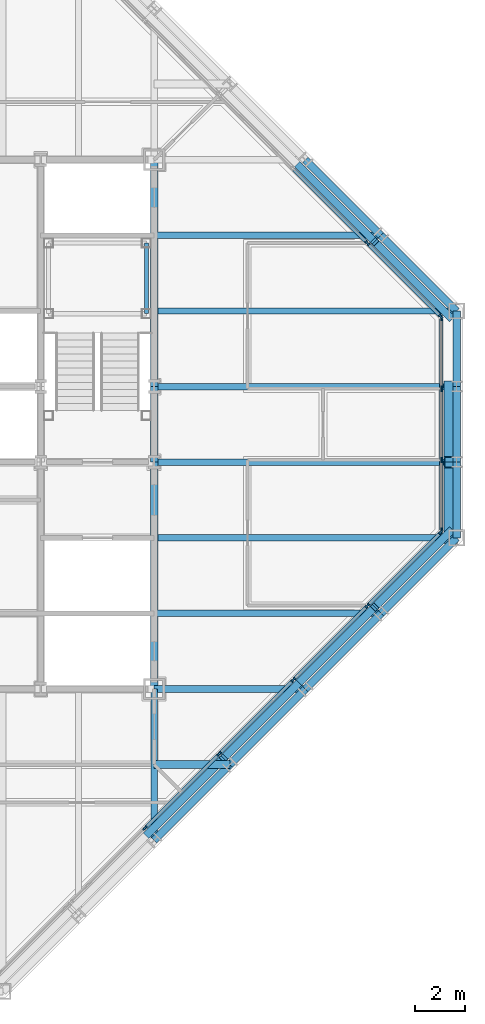
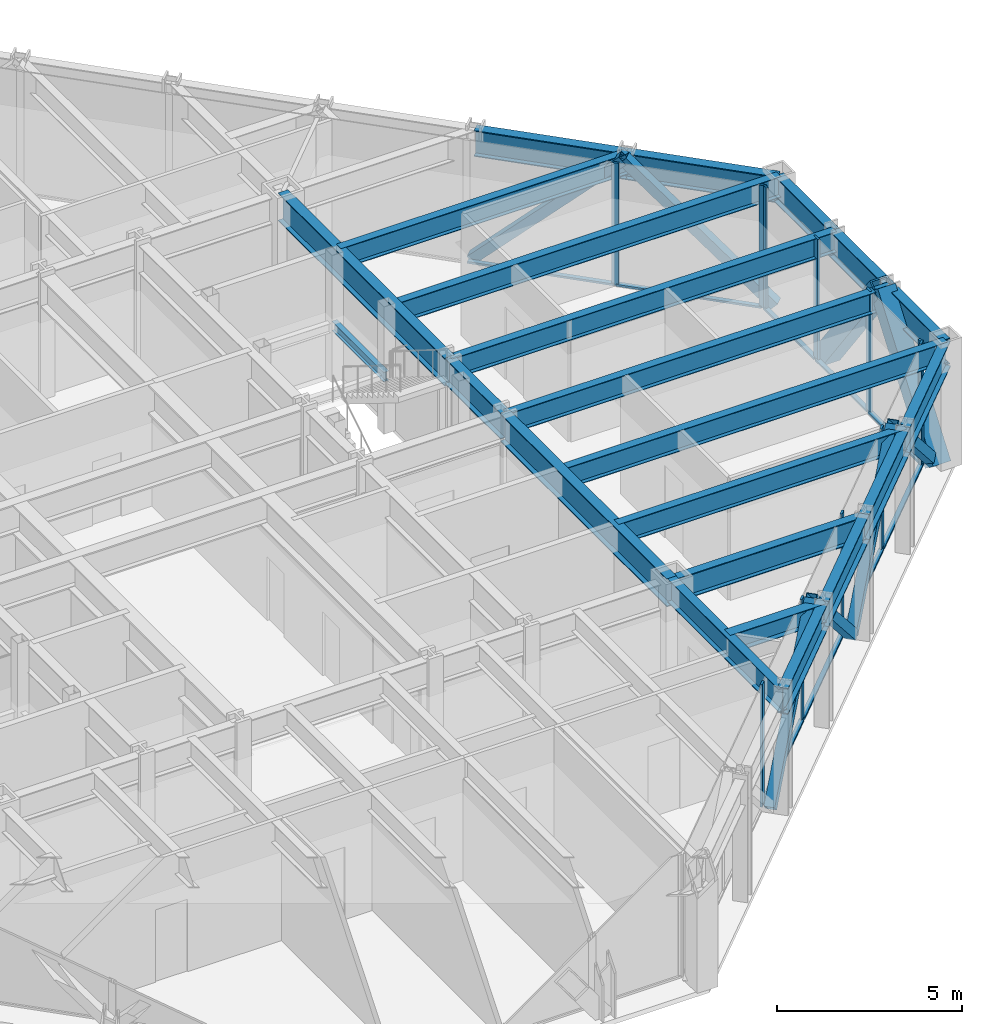
# One storey, part 7 of 15: 28 members, 22 beams, 3 elements without a shape of their own.
"""IFC4 building model written with IfcOpenShell, lengths in metres."""

from ifc_helpers import new_model, si_unit, direction, frame, origin, origin_2d, place, context, subcontext, project, spatial, rectangle, hollow_rectangle, i_section, extrude, material, layer, layer_set, material_profile, profile_set, type_object, element, aggregate, save


model = new_model("IFC4")

# Units and contexts
model_context = context("Model", 3, precision=1e-05, world=origin(), true_north=direction((0.0, 1.0)))
body_context = subcontext(model_context, "Body", "Model", "MODEL_VIEW")
ifc_project = project(units=[si_unit("LENGTHUNIT", "METRE"), si_unit("AREAUNIT", "SQUARE_METRE"), si_unit("VOLUMEUNIT", "CUBIC_METRE"), si_unit("PLANEANGLEUNIT", "RADIAN"), si_unit("MASSUNIT", "GRAM", prefix="KILO")], contexts=[model_context])

# Site, building, storey
site_placement = place(None, origin())
site = spatial("IfcSite", under=ifc_project, at=site_placement, CompositionType="ELEMENT")
building_placement = place(site_placement, origin())
building = spatial("IfcBuilding", under=site, at=building_placement, Name="Chuquiago Exchange Tower", CompositionType="ELEMENT")
storey_placement = place(building_placement, frame((0.0, 0.0, 274.800048828125)))
storey = spatial("IfcBuildingStorey", under=building, at=storey_placement, Name="L61", CompositionType="ELEMENT", Elevation=274.800048828125)

# Beams
ifc_material_1 = material(Name="Steel ASTM A992", Category="steel")
ifc_material_profile_1 = material_profile(ifc_material_1, i_section(OverallWidth=0.25390625, OverallDepth=0.683349609375, WebThickness=0.012451171875, FlangeThickness=0.018798828125, at=origin_2d()), Name="W27X94")
ifc_profile_set_1 = profile_set([ifc_material_profile_1], Name="Steel ASTM A992")
beam_type_1 = type_object("IfcBeamType", Name="B1 W27X94", PredefinedType="BEAM", material=ifc_profile_set_1)
beam_1_placement = place(storey_placement, frame((33.0, 15.0, 3.6982421875), z_axis=(1.0, 0.0, 0.0), x_axis=(0.0, 1.0, 0.0)))
element("IfcBeam", 1, at=beam_1_placement, inside=storey, type_object=beam_type_1, Name="FB-L62-infill-33_15-42_15-0", PredefinedType="BEAM", context=body_context, shape_type="SweptSolid", body=[
    extrude(i_section(OverallWidth=0.25390625, OverallDepth=0.683349609375, WebThickness=0.012451171875, FlangeThickness=0.018798828125, at=origin_2d()), origin(), (0.0, 0.0, 1.0), 9.0),
])
for number, where, z_axis, x_axis, name in (
    (2, (33.0, 18.0, 3.6982421875), (1.0, 0.0, 0.0), (0.0, 1.0, 0.0), "FB-L62-infill-33_18-45_18-0"),
    (3, (33.0, 21.0, 3.6982421875), (1.0, 0.0, 0.0), (0.0, 1.0, 0.0), "FB-L62-infill-33_21-45_21-0"),
    (4, (33.0, 24.0, 3.6982421875), (1.0, 0.0, 0.0), (0.0, 1.0, 0.0), "FB-L62-infill-33_24-45_24-0"),
    (5, (33.0, 27.0, 3.6982421875), (1.0, 0.0, 0.0), (0.0, 1.0, 0.0), "FB-L62-infill-33_27-45_27-0"),
):
    element("IfcBeam", number, at=place(storey_placement, frame(where, z_axis=z_axis, x_axis=x_axis)), inside=storey, type_object=beam_type_1, Name=name, PredefinedType="BEAM", context=body_context, shape_type="SweptSolid", body=[
        extrude(i_section(OverallWidth=0.25390625, OverallDepth=0.683349609375, WebThickness=0.012451171875, FlangeThickness=0.018798828125, at=origin_2d()), origin(), (0.0, 0.0, 1.0), 12.0),
    ])
beam_2_placement = place(storey_placement, frame((33.0, 30.0, 3.6982421875), z_axis=(1.0, 0.0, 0.0), x_axis=(0.0, 1.0, 0.0)))
element("IfcBeam", 6, at=beam_2_placement, inside=storey, type_object=beam_type_1, Name="FB-L62-infill-33_30-42_30-0", PredefinedType="BEAM", context=body_context, shape_type="SweptSolid", body=[
    extrude(i_section(OverallWidth=0.25390625, OverallDepth=0.683349609375, WebThickness=0.012451171875, FlangeThickness=0.018798828125, at=origin_2d()), origin(), (0.0, 0.0, 1.0), 9.0),
])
ifc_material_2 = material(Name="Steel ASTM A992", Category="steel")
ifc_material_profile_2 = material_profile(ifc_material_2, i_section(OverallWidth=0.307373046875, OverallDepth=0.927001953125, WebThickness=0.01953125, FlangeThickness=0.031982421875, at=origin_2d()), Name="W36X194")
ifc_profile_set_2 = profile_set([ifc_material_profile_2], Name="Steel ASTM A992")
beam_type_2 = type_object("IfcBeamType", Name="B10 W36X194", PredefinedType="BEAM", material=ifc_profile_set_2)
for number, where, z_axis, x_axis, name in (
    (7, (33.0, 12.0, 3.576416015625), (0.0, 1.0, 0.0), (-1.0, 0.0, 0.0), "CB-L62-33_12-33_21"),
    (8, (33.0, 24.0, 3.576416015625), (0.0, 1.0, 0.0), (-1.0, 0.0, 0.0), "CB-L62-33_24-33_33"),
):
    element("IfcBeam", number, at=place(storey_placement, frame(where, z_axis=z_axis, x_axis=x_axis)), inside=storey, type_object=beam_type_2, Name=name, PredefinedType="BEAM", context=body_context, shape_type="SweptSolid", body=[
        extrude(i_section(OverallWidth=0.307373046875, OverallDepth=0.927001953125, WebThickness=0.01953125, FlangeThickness=0.031982421875, at=origin_2d()), origin(), (0.0, 0.0, 1.0), 9.0),
    ])
ifc_material_3 = material(Name="Steel ASTM A992", Category="steel")
ifc_material_profile_3 = material_profile(ifc_material_3, i_section(OverallWidth=0.3251953125, OverallDepth=0.612060546875, WebThickness=0.0126953125, FlangeThickness=0.01904296875, at=origin_2d()), Name="W24X104")
ifc_profile_set_3 = profile_set([ifc_material_profile_3], Name="Steel ASTM A992")
beam_type_3 = type_object("IfcBeamType", Name="B2 W24X104", PredefinedType="BEAM", material=ifc_profile_set_3)
beam_3_placement = place(storey_placement, frame((33.0, 9.0, 3.73388671875), z_axis=(1.0, 0.0, 0.0), x_axis=(0.0, 1.0, 0.0)))
element("IfcBeam", 9, at=beam_3_placement, inside=storey, type_object=beam_type_3, Name="FB-L62-corner-33_9-36_9-0", PredefinedType="BEAM", context=body_context, shape_type="SweptSolid", body=[
    extrude(i_section(OverallWidth=0.3251953125, OverallDepth=0.612060546875, WebThickness=0.0126953125, FlangeThickness=0.01904296875, at=origin_2d()), origin(), (0.0, 0.0, 1.0), 3.0),
])
ifc_material_4 = material(Name="Steel ASTM A992", Category="steel")
ifc_material_profile_4 = material_profile(ifc_material_4, i_section(OverallWidth=0.2919921875, OverallDepth=0.8583984375, WebThickness=0.01708984375, FlangeThickness=0.031005859375, at=origin_2d()), Name="W33X169")
ifc_profile_set_4 = profile_set([ifc_material_profile_4], Name="Steel ASTM A992")
beam_type_4 = type_object("IfcBeamType", Name="B3 W33X169", PredefinedType="BEAM", material=ifc_profile_set_4)
beam_4_placement = place(storey_placement, frame((33.0, 21.0, 3.610595703125), z_axis=(0.0, 1.0, 0.0), x_axis=(-1.0, 0.0, 0.0)))
element("IfcBeam", 10, at=beam_4_placement, inside=storey, type_object=beam_type_4, Name="CB-L62-33_21-33_24", PredefinedType="BEAM", context=body_context, shape_type="SweptSolid", body=[
    extrude(i_section(OverallWidth=0.2919921875, OverallDepth=0.8583984375, WebThickness=0.01708984375, FlangeThickness=0.031005859375, at=origin_2d()), origin(), (0.0, 0.0, 1.0), 3.0),
])

# Curtain wall, members
ifc_material_5 = material(Name="Aluminium curtain wall system", Category="aluminium")
ifc_layer_1 = layer(ifc_material_5, 0.22509765625)
ifc_layer_set_1 = layer_set([ifc_layer_1], Name="CW2 office curtain wall")
curtain_wall_type_1 = type_object("IfcCurtainWallType", Name="CW2 office curtain wall", PredefinedType="NOTDEFINED", material=ifc_layer_set_1)
curtain_wall_1_placement = place(storey_placement, origin())
curtain_wall_1 = element("IfcCurtainWall", 11, at=curtain_wall_1_placement, inside=storey, type_object=curtain_wall_type_1, Name="CW2 curtain wall L61", PredefinedType="NOTDEFINED")
ifc_material_6 = material(Name="Aluminium mullion, pale anodised", Category="aluminium")
ifc_material_profile_5 = material_profile(ifc_material_6, rectangle(XDim=0.06494140625, YDim=0.22509765625, at=origin_2d()), Name="AL 65x225")
ifc_profile_set_5 = profile_set([ifc_material_profile_5], Name="Aluminium mullion, pale anodised")
member_type_1 = type_object("IfcMemberType", Name="CW2-M mullion 65x225", PredefinedType="MULLION", material=ifc_profile_set_5)
member_1_placement = place(storey_placement, frame((44.39990234375, 18.281005859375, 0.0), z_axis=(0.0, 0.0, 1.0), x_axis=(-1.0, 0.0, 0.0)))
member_1 = element("IfcMember", 12, at=member_1_placement, type_object=member_type_1, Name="CW2 mullion 1", PredefinedType="MULLION", context=body_context, shape_type="SweptSolid", body=[
    extrude(rectangle(XDim=0.06494140625, YDim=0.22509765625, at=origin_2d()), origin(), (0.0, 0.0, 1.0), 4.0400390625),
])
member_2_placement = place(storey_placement, frame((44.39990234375, 21.082763671875, 0.0), z_axis=(0.0, 0.0, 1.0), x_axis=(-1.0, 0.0, 0.0)))
member_2 = element("IfcMember", 13, at=member_2_placement, type_object=member_type_1, Name="CW2 mullion 2", PredefinedType="MULLION", context=body_context, shape_type="SweptSolid", body=[
    extrude(rectangle(XDim=0.06494140625, YDim=0.22509765625, at=origin_2d()), origin(), (0.0, 0.0, 1.0), 4.0400390625),
])
member_3_placement = place(storey_placement, frame((44.39990234375, 23.917236328125, 0.0), z_axis=(0.0, 0.0, 1.0), x_axis=(-1.0, 0.0, 0.0)))
member_3 = element("IfcMember", 14, at=member_3_placement, type_object=member_type_1, Name="CW2 mullion 3", PredefinedType="MULLION", context=body_context, shape_type="SweptSolid", body=[
    extrude(rectangle(XDim=0.06494140625, YDim=0.22509765625, at=origin_2d()), origin(), (0.0, 0.0, 1.0), 4.0400390625),
])
member_4_placement = place(storey_placement, frame((44.39990234375, 26.718994140625, 0.0), z_axis=(0.0, 0.0, 1.0), x_axis=(-1.0, 0.0, 0.0)))
member_4 = element("IfcMember", 15, at=member_4_placement, type_object=member_type_1, Name="CW2 mullion 4", PredefinedType="MULLION", context=body_context, shape_type="SweptSolid", body=[
    extrude(rectangle(XDim=0.06494140625, YDim=0.22509765625, at=origin_2d()), origin(), (0.0, 0.0, 1.0), 4.0400390625),
])
ifc_material_7 = material(Name="Aluminium transom, pale anodised", Category="aluminium")
ifc_material_profile_6 = material_profile(ifc_material_7, rectangle(XDim=0.139892578125, YDim=0.06494140625, at=origin_2d()), Name="AL 140x65")
ifc_profile_set_6 = profile_set([ifc_material_profile_6], Name="Aluminium transom, pale anodised")
member_type_2 = type_object("IfcMemberType", Name="CW2-T transom 65x140", PredefinedType="MULLION", material=ifc_profile_set_6)
member_5_placement = place(storey_placement, frame((44.39990234375, 18.3134765625, 0.032470703125), z_axis=(0.0, 1.0, 0.0), x_axis=(-1.0, 0.0, 0.0)))
member_5 = element("IfcMember", 16, at=member_5_placement, type_object=member_type_2, Name="CW2 transom 1.1", PredefinedType="MULLION", context=body_context, shape_type="SweptSolid", body=[
    extrude(rectangle(XDim=0.139892578125, YDim=0.06494140625, at=origin_2d()), origin(), (0.0, 0.0, 1.0), 2.73681640625),
])
member_6_placement = place(storey_placement, frame((44.39990234375, 21.115234375, 0.032470703125), z_axis=(0.0, 1.0, 0.0), x_axis=(-1.0, 0.0, 0.0)))
member_6 = element("IfcMember", 17, at=member_6_placement, type_object=member_type_2, Name="CW2 transom 2.1", PredefinedType="MULLION", context=body_context, shape_type="SweptSolid", body=[
    extrude(rectangle(XDim=0.139892578125, YDim=0.06494140625, at=origin_2d()), origin(), (0.0, 0.0, 1.0), 2.76953125),
])
member_7_placement = place(storey_placement, frame((44.39990234375, 23.94970703125, 0.032470703125), z_axis=(0.0, 1.0, 0.0), x_axis=(-1.0, 0.0, 0.0)))
member_7 = element("IfcMember", 18, at=member_7_placement, type_object=member_type_2, Name="CW2 transom 3.1", PredefinedType="MULLION", context=body_context, shape_type="SweptSolid", body=[
    extrude(rectangle(XDim=0.139892578125, YDim=0.06494140625, at=origin_2d()), origin(), (0.0, 0.0, 1.0), 2.73681640625),
])
aggregate(curtain_wall_1, [member_1, member_2, member_3, member_4, member_5, member_6, member_7])

ifc_material_8 = material(Name="Aluminium curtain wall system", Category="aluminium")
ifc_layer_2 = layer(ifc_material_8, 0.199951171875)
ifc_layer_set_2 = layer_set([ifc_layer_2], Name="CW3 facet curtain wall")
curtain_wall_type_2 = type_object("IfcCurtainWallType", Name="CW3 facet curtain wall", PredefinedType="NOTDEFINED", material=ifc_layer_set_2)
curtain_wall_2_placement = place(storey_placement, origin())
curtain_wall_2 = element("IfcCurtainWall", 19, at=curtain_wall_2_placement, inside=storey, type_object=curtain_wall_type_2, Name="CW3 curtain wall L61", PredefinedType="NOTDEFINED")
ifc_material_9 = material(Name="Aluminium mullion, pale anodised", Category="aluminium")
ifc_material_profile_7 = material_profile(ifc_material_9, rectangle(XDim=0.06494140625, YDim=0.199951171875, at=origin_2d()), Name="AL 65x200")
ifc_profile_set_7 = profile_set([ifc_material_profile_7], Name="Aluminium mullion, pale anodised")
member_type_3 = type_object("IfcMemberType", Name="CW3-M mullion 65x200", PredefinedType="MULLION", material=ifc_profile_set_7)
member_8_placement = place(storey_placement, frame((32.63427734375, 6.48291015625, 0.0), z_axis=(0.0, 0.0, 1.0), x_axis=(-0.707106781187, 0.707106781187, 0.0)))
member_8 = element("IfcMember", 20, at=member_8_placement, type_object=member_type_3, Name="CW3 mullion 3", PredefinedType="MULLION", context=body_context, shape_type="SweptSolid", body=[
    extrude(rectangle(XDim=0.06494140625, YDim=0.199951171875, at=origin_2d()), origin(), (0.0, 0.0, 1.0), 4.0400390625),
])
member_9_placement = place(storey_placement, frame((35.57568359375, 9.42431640625, 0.0), z_axis=(0.0, 0.0, 1.0), x_axis=(-0.707106781187, 0.707106781187, 0.0)))
member_9 = element("IfcMember", 21, at=member_9_placement, type_object=member_type_3, Name="CW3 mullion 4", PredefinedType="MULLION", context=body_context, shape_type="SweptSolid", body=[
    extrude(rectangle(XDim=0.06494140625, YDim=0.199951171875, at=origin_2d()), origin(), (0.0, 0.0, 1.0), 4.0400390625),
])
member_10_placement = place(storey_placement, frame((38.51708984375, 12.36572265625, 0.0), z_axis=(0.0, 0.0, 1.0), x_axis=(-0.707106781187, 0.707106781187, 0.0)))
member_10 = element("IfcMember", 22, at=member_10_placement, type_object=member_type_3, Name="CW3 mullion 5", PredefinedType="MULLION", context=body_context, shape_type="SweptSolid", body=[
    extrude(rectangle(XDim=0.06494140625, YDim=0.199951171875, at=origin_2d()), origin(), (0.0, 0.0, 1.0), 4.0400390625),
])
member_11_placement = place(storey_placement, frame((41.45849609375, 15.30712890625, 0.0), z_axis=(0.0, 0.0, 1.0), x_axis=(-0.707106781187, 0.707106781187, 0.0)))
member_11 = element("IfcMember", 23, at=member_11_placement, type_object=member_type_3, Name="CW3 mullion 6", PredefinedType="MULLION", context=body_context, shape_type="SweptSolid", body=[
    extrude(rectangle(XDim=0.06494140625, YDim=0.199951171875, at=origin_2d()), origin(), (0.0, 0.0, 1.0), 4.0400390625),
])
member_12_placement = place(storey_placement, frame((44.376953125, 18.2255859375, 0.0), z_axis=(0.0, 0.0, 1.0), x_axis=(-0.707106781187, 0.707106781187, 0.0)))
member_12 = element("IfcMember", 24, at=member_12_placement, type_object=member_type_3, Name="CW3 mullion 7", PredefinedType="MULLION", context=body_context, shape_type="SweptSolid", body=[
    extrude(rectangle(XDim=0.06494140625, YDim=0.199951171875, at=origin_2d()), origin(), (0.0, 0.0, 1.0), 4.0400390625),
])

curtain_wall_3_placement = place(storey_placement, origin())
curtain_wall_3 = element("IfcCurtainWall", 25, at=curtain_wall_3_placement, inside=storey, type_object=curtain_wall_type_2, Name="CW3 curtain wall L61", PredefinedType="NOTDEFINED")
member_13_placement = place(storey_placement, frame((44.376953125, 26.7744140625, 0.0), z_axis=(0.0, 0.0, 1.0), x_axis=(-0.707106781187, -0.707106781187, 0.0)))
member_13 = element("IfcMember", 26, at=member_13_placement, type_object=member_type_3, Name="CW3 mullion 1", PredefinedType="MULLION", context=body_context, shape_type="SweptSolid", body=[
    extrude(rectangle(XDim=0.06494140625, YDim=0.199951171875, at=origin_2d()), origin(), (0.0, 0.0, 1.0), 4.0400390625),
])
member_14_placement = place(storey_placement, frame((41.45849609375, 29.69287109375, 0.0), z_axis=(0.0, 0.0, 1.0), x_axis=(-0.707106781187, -0.707106781187, 0.0)))
member_14 = element("IfcMember", 27, at=member_14_placement, type_object=member_type_3, Name="CW3 mullion 2", PredefinedType="MULLION", context=body_context, shape_type="SweptSolid", body=[
    extrude(rectangle(XDim=0.06494140625, YDim=0.199951171875, at=origin_2d()), origin(), (0.0, 0.0, 1.0), 4.0400390625),
])

# Member
ifc_material_10 = material(Name="Aluminium transom, pale anodised", Category="aluminium")
ifc_material_profile_8 = material_profile(ifc_material_10, rectangle(XDim=0.139892578125, YDim=0.06494140625, at=origin_2d()), Name="AL 140x65")
ifc_profile_set_8 = profile_set([ifc_material_profile_8], Name="Aluminium transom, pale anodised")
member_type_4 = type_object("IfcMemberType", Name="CW3-T transom 65x140", PredefinedType="MULLION", material=ifc_profile_set_8)
member_15_placement = place(storey_placement, frame((32.6572265625, 6.505859375, 0.032470703125), z_axis=(0.707106781187, 0.707106781187, 0.0), x_axis=(-0.707106781187, 0.707106781187, 0.0)))
member_15 = element("IfcMember", 28, at=member_15_placement, type_object=member_type_4, Name="CW3 transom 3.1", PredefinedType="MULLION", context=body_context, shape_type="SweptSolid", body=[
    extrude(rectangle(XDim=0.139892578125, YDim=0.06494140625, at=origin_2d()), origin(), (0.0, 0.0, 1.0), 4.094970703125),
])

member_16_placement = place(storey_placement, frame((35.5986328125, 9.447265625, 0.032470703125), z_axis=(0.707106781187, 0.707106781187, 0.0), x_axis=(-0.707106781187, 0.707106781187, 0.0)))
member_16 = element("IfcMember", 29, at=member_16_placement, type_object=member_type_4, Name="CW3 transom 4.1", PredefinedType="MULLION", context=body_context, shape_type="SweptSolid", body=[
    extrude(rectangle(XDim=0.139892578125, YDim=0.06494140625, at=origin_2d()), origin(), (0.0, 0.0, 1.0), 4.094970703125),
])

member_17_placement = place(storey_placement, frame((38.5400390625, 12.388671875, 0.032470703125), z_axis=(0.707106781187, 0.707106781187, 0.0), x_axis=(-0.707106781187, 0.707106781187, 0.0)))
member_17 = element("IfcMember", 30, at=member_17_placement, type_object=member_type_4, Name="CW3 transom 5.1", PredefinedType="MULLION", context=body_context, shape_type="SweptSolid", body=[
    extrude(rectangle(XDim=0.139892578125, YDim=0.06494140625, at=origin_2d()), origin(), (0.0, 0.0, 1.0), 4.094970703125),
])

member_18_placement = place(storey_placement, frame((41.4814453125, 15.330078125, 0.032470703125), z_axis=(0.707106781187, 0.707106781187, 0.0), x_axis=(-0.707106781187, 0.707106781187, 0.0)))
member_18 = element("IfcMember", 31, at=member_18_placement, type_object=member_type_4, Name="CW3 transom 6.1", PredefinedType="MULLION", context=body_context, shape_type="SweptSolid", body=[
    extrude(rectangle(XDim=0.139892578125, YDim=0.06494140625, at=origin_2d()), origin(), (0.0, 0.0, 1.0), 4.0625),
])

aggregate(curtain_wall_2, [member_8, member_9, member_10, member_11, member_12, member_15, member_16, member_17, member_18])

member_19_placement = place(storey_placement, frame((44.35400390625, 26.79736328125, 0.032470703125), z_axis=(-0.707106781187, 0.707106781187, 0.0), x_axis=(-0.707106781187, -0.707106781187, 0.0)))
member_19 = element("IfcMember", 32, at=member_19_placement, type_object=member_type_4, Name="CW3 transom 1.1", PredefinedType="MULLION", context=body_context, shape_type="SweptSolid", body=[
    extrude(rectangle(XDim=0.139892578125, YDim=0.06494140625, at=origin_2d()), origin(), (0.0, 0.0, 1.0), 4.0625),
])

member_20_placement = place(storey_placement, frame((41.435546875, 29.7158203125, 0.032470703125), z_axis=(-0.707106781187, 0.707106781187, 0.0), x_axis=(-0.707106781187, -0.707106781187, 0.0)))
member_20 = element("IfcMember", 33, at=member_20_placement, type_object=member_type_4, Name="CW3 transom 2.1", PredefinedType="MULLION", context=body_context, shape_type="SweptSolid", body=[
    extrude(rectangle(XDim=0.139892578125, YDim=0.06494140625, at=origin_2d()), origin(), (0.0, 0.0, 1.0), 4.094970703125),
])

aggregate(curtain_wall_3, [member_13, member_14, member_19, member_20])

# Beams
ifc_material_11 = material(Name="Steel ASTM A992", Category="steel")
ifc_material_profile_9 = material_profile(ifc_material_11, i_section(OverallWidth=0.2666015625, OverallDepth=0.76953125, WebThickness=0.015625, FlangeThickness=0.025390625, at=origin_2d()), Name="W30X132")
ifc_profile_set_9 = profile_set([ifc_material_profile_9], Name="Steel ASTM A992")
beam_type_5 = type_object("IfcBeamType", Name="G1 W30X132", PredefinedType="BEAM", material=ifc_profile_set_9)
for number, where, z_axis, x_axis, name in (
    (34, (33.0, 12.0, 3.655029296875), (0.0, -1.0, 0.0), (1.0, 0.0, 0.0), "FB-L62-girder-33_12-33_6-0"),
    (35, (33.0, 12.0, 3.655029296875), (1.0, 0.0, 0.0), (0.0, 1.0, 0.0), "FB-L62-girder-33_12-39_12-0"),
):
    element("IfcBeam", number, at=place(storey_placement, frame(where, z_axis=z_axis, x_axis=x_axis)), inside=storey, type_object=beam_type_5, Name=name, PredefinedType="BEAM", context=body_context, shape_type="SweptSolid", body=[
        extrude(i_section(OverallWidth=0.2666015625, OverallDepth=0.76953125, WebThickness=0.015625, FlangeThickness=0.025390625, at=origin_2d()), origin(), (0.0, 0.0, 1.0), 6.0),
    ])

# Members
ifc_material_12 = material(Name="Steel ASTM A500 Grade C", Category="steel")
ifc_material_profile_10 = material_profile(ifc_material_12, hollow_rectangle(XDim=0.3046875, YDim=0.3046875, WallThickness=0.0146484375, at=origin_2d()), Name="HSS12X12X5/8")
ifc_profile_set_10 = profile_set([ifc_material_profile_10], Name="Steel ASTM A500 Grade C")
member_type_5 = type_object("IfcMemberType", Name="LB3 HSS12X12X5/8", PredefinedType="BRACE", material=ifc_profile_set_10)
for number, where, z_axis, x_axis, name in (
    (36, (32.750732421875, 6.249267578125, 0.0), (0.512077265487, 0.512077265487, 0.689604051861), (-0.707106781187, 0.707106781187, 0.0), "LB-L61-33_6-36_9"),
    (37, (38.750732421875, 12.249267578125, 0.0), (-0.512077265487, -0.512077265487, 0.689604051861), (0.707106781187, -0.707106781187, 0.0), "LB-L61-36_9-39_12"),
    (38, (38.750732421875, 12.249267578125, 0.0), (0.512077265487, 0.512077265487, 0.689604051861), (-0.707106781187, 0.707106781187, 0.0), "LB-L61-39_12-42_15"),
    (39, (44.750732421875, 18.249267578125, 0.0), (-0.512077265487, -0.512077265487, 0.689604051861), (0.707106781187, -0.707106781187, 0.0), "LB-L61-42_15-45_18"),
    (40, (44.750732421875, 26.750732421875, 0.0), (-0.512077265487, 0.512077265487, 0.689604051861), (-0.707106781187, -0.707106781187, 0.0), "LB-L61-45_27-42_30"),
    (41, (38.750732421875, 32.750732421875, 0.0), (0.512077265487, -0.512077265487, 0.689604051861), (0.707106781187, 0.707106781187, 0.0), "LB-L61-42_30-39_33"),
):
    element("IfcMember", number, at=place(storey_placement, frame(where, z_axis=z_axis, x_axis=x_axis)), inside=storey, type_object=member_type_5, Name=name, PredefinedType="BRACE", context=body_context, shape_type="SweptSolid", body=[
        extrude(hollow_rectangle(XDim=0.3046875, YDim=0.3046875, WallThickness=0.0146484375, at=origin_2d()), origin(), (0.0, 0.0, 1.0), 5.8583984375),
    ])

# Beam
ifc_material_13 = material(Name="Steel ASTM A992", Category="steel")
ifc_material_profile_11 = material_profile(ifc_material_13, i_section(OverallWidth=0.164794921875, OverallDepth=0.309814453125, WebThickness=0.005859375, FlangeThickness=0.009765625, at=origin_2d()), Name="W12X26")
ifc_profile_set_11 = profile_set([ifc_material_profile_11], Name="Steel ASTM A992")
beam_type_6 = type_object("IfcBeamType", Name="LS1 W12X26", PredefinedType="BEAM", material=ifc_profile_set_11)
beam_5_placement = place(storey_placement, frame((32.68994140625, 26.889892578125, 1.7451171875), z_axis=(0.0, 1.0, 0.0), x_axis=(-1.0, 0.0, 0.0)))
element("IfcBeam", 42, at=beam_5_placement, inside=storey, type_object=beam_type_6, Name="Stair ST2 L61 landing 1 stringer", PredefinedType="BEAM", context=body_context, shape_type="SweptSolid", body=[
    extrude(i_section(OverallWidth=0.164794921875, OverallDepth=0.309814453125, WebThickness=0.005859375, FlangeThickness=0.009765625, at=origin_2d()), origin(), (0.0, 0.0, 1.0), 2.800048828125),
])

# Members
ifc_material_14 = material(Name="Steel ASTM A572 Grade 50", Category="steel")
ifc_material_profile_12 = material_profile(ifc_material_14, hollow_rectangle(XDim=0.550048828125, YDim=0.550048828125, WallThickness=0.044921875, at=origin_2d()), Name="BOX550X550X45")
ifc_profile_set_12 = profile_set([ifc_material_profile_12], Name="Steel ASTM A572 Grade 50")
member_type_6 = type_object("IfcMemberType", Name="MB4 BOX550X550X45", PredefinedType="BRACE", material=ifc_profile_set_12)
for number, where, z_axis, x_axis, name in (
    (43, (44.77001953125, 18.0, 0.0), (0.0, 0.596173923302, 0.802855312728), (-1.0, 0.0, 0.0), "Mega diagonal L61 E face"),
    (44, (44.77001953125, 24.0, 0.0), (0.0, -0.596173923302, 0.802855312728), (1.0, 0.0, 0.0), "Mega diagonal L61 E face"),
):
    element("IfcMember", number, at=place(storey_placement, frame(where, z_axis=z_axis, x_axis=x_axis)), inside=storey, type_object=member_type_6, Name=name, PredefinedType="BRACE", context=body_context, shape_type="SweptSolid", body=[
        extrude(hollow_rectangle(XDim=0.550048828125, YDim=0.550048828125, WallThickness=0.044921875, at=origin_2d()), origin(), (0.0, 0.0, 1.0), 5.031982421875),
    ])

# Beams
ifc_material_15 = material(Name="Steel ASTM A992", Category="steel")
ifc_material_profile_13 = material_profile(ifc_material_15, i_section(OverallWidth=0.2919921875, OverallDepth=0.8583984375, WebThickness=0.01708984375, FlangeThickness=0.031005859375, at=origin_2d()), Name="W33X169")
ifc_profile_set_13 = profile_set([ifc_material_profile_13], Name="Steel ASTM A992")
beam_type_7 = type_object("IfcBeamType", Name="SP4 W33X169", PredefinedType="SPANDREL", material=ifc_profile_set_13)
for number, where, z_axis, x_axis, name in (
    (45, (33.0, 6.0, 3.610595703125), (0.707106781187, 0.707106781187, 0.0), (-0.707106781187, 0.707106781187, 0.0), "SPB-L62-33_6-36_9"),
    (46, (36.0, 9.0, 3.610595703125), (0.707106781187, 0.707106781187, 0.0), (-0.707106781187, 0.707106781187, 0.0), "SPB-L62-36_9-39_12"),
    (47, (39.0, 12.0, 3.610595703125), (0.707106781187, 0.707106781187, 0.0), (-0.707106781187, 0.707106781187, 0.0), "SPB-L62-39_12-42_15"),
    (48, (42.0, 15.0, 3.610595703125), (0.707106781187, 0.707106781187, 0.0), (-0.707106781187, 0.707106781187, 0.0), "SPB-L62-42_15-45_18"),
):
    element("IfcBeam", number, at=place(storey_placement, frame(where, z_axis=z_axis, x_axis=x_axis)), inside=storey, type_object=beam_type_7, Name=name, PredefinedType="SPANDREL", context=body_context, shape_type="SweptSolid", body=[
        extrude(i_section(OverallWidth=0.2919921875, OverallDepth=0.8583984375, WebThickness=0.01708984375, FlangeThickness=0.031005859375, at=origin_2d()), origin(), (0.0, 0.0, 1.0), 4.24267578125),
    ])
for number, where, z_axis, x_axis, name in (
    (49, (45.0, 18.0, 3.610595703125), (0.0, 1.0, 0.0), (-1.0, 0.0, 0.0), "SPB-L62-45_18-45_21"),
    (50, (45.0, 21.0, 3.610595703125), (0.0, 1.0, 0.0), (-1.0, 0.0, 0.0), "SPB-L62-45_21-45_24"),
    (51, (45.0, 24.0, 3.610595703125), (0.0, 1.0, 0.0), (-1.0, 0.0, 0.0), "SPB-L62-45_24-45_27"),
):
    element("IfcBeam", number, at=place(storey_placement, frame(where, z_axis=z_axis, x_axis=x_axis)), inside=storey, type_object=beam_type_7, Name=name, PredefinedType="SPANDREL", context=body_context, shape_type="SweptSolid", body=[
        extrude(i_section(OverallWidth=0.2919921875, OverallDepth=0.8583984375, WebThickness=0.01708984375, FlangeThickness=0.031005859375, at=origin_2d()), origin(), (0.0, 0.0, 1.0), 3.0),
    ])
for number, where, z_axis, x_axis, name in (
    (52, (45.0, 27.0, 3.610595703125), (-0.707106781187, 0.707106781187, 0.0), (-0.707106781187, -0.707106781187, 0.0), "SPB-L62-45_27-42_30"),
    (53, (42.0, 30.0, 3.610595703125), (-0.707106781187, 0.707106781187, 0.0), (-0.707106781187, -0.707106781187, 0.0), "SPB-L62-42_30-39_33"),
):
    element("IfcBeam", number, at=place(storey_placement, frame(where, z_axis=z_axis, x_axis=x_axis)), inside=storey, type_object=beam_type_7, Name=name, PredefinedType="SPANDREL", context=body_context, shape_type="SweptSolid", body=[
        extrude(i_section(OverallWidth=0.2919921875, OverallDepth=0.8583984375, WebThickness=0.01708984375, FlangeThickness=0.031005859375, at=origin_2d()), origin(), (0.0, 0.0, 1.0), 4.24267578125),
    ])

save(model, "model.ifc")
